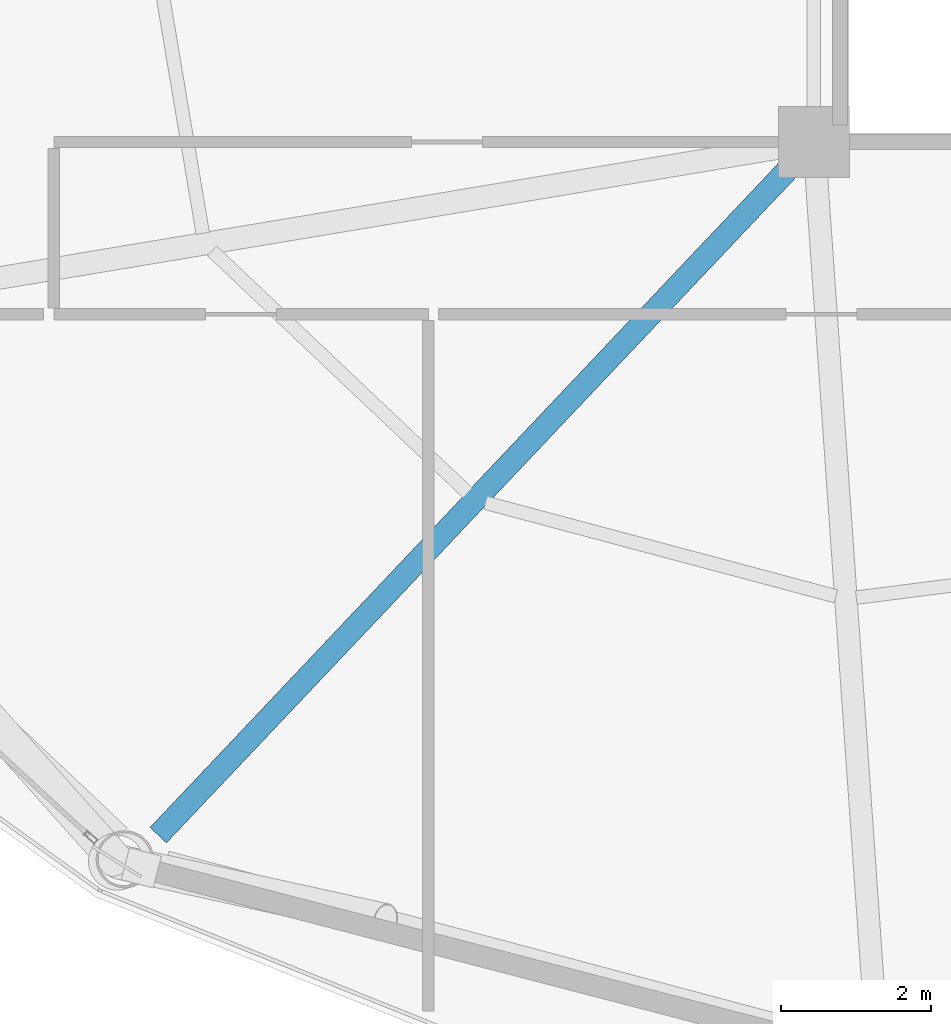
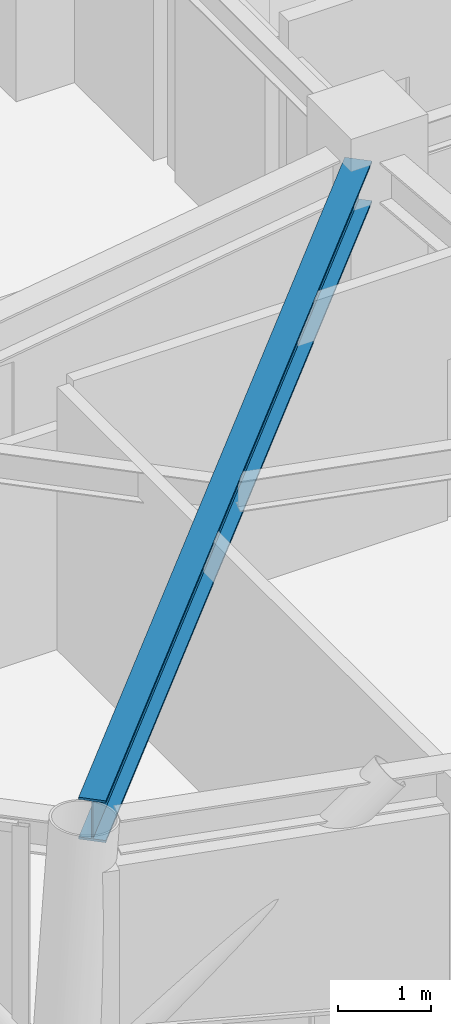
# One storey, part 4 of 26: 1 beam.
"""IFC4 building model written with IfcOpenShell, lengths in metres."""

from ifc_helpers import new_model, si_unit, direction, frame, origin, origin_2d, place, context, subcontext, project, spatial, i_section, extrude, material, material_profile, profile_set, type_object, element, save


model = new_model("IFC4")

# Units and contexts
model_context = context("Model", 3, precision=1e-05, world=origin(), true_north=direction((0.0, 1.0)))
body_context = subcontext(model_context, "Body", "Model", "MODEL_VIEW")
ifc_project = project(units=[si_unit("LENGTHUNIT", "METRE"), si_unit("AREAUNIT", "SQUARE_METRE"), si_unit("VOLUMEUNIT", "CUBIC_METRE"), si_unit("PLANEANGLEUNIT", "RADIAN"), si_unit("MASSUNIT", "GRAM", prefix="KILO")], contexts=[model_context])

# Site, building, storey
site_placement = place(None, origin())
site = spatial("IfcSite", under=ifc_project, at=site_placement, CompositionType="ELEMENT")
building_placement = place(site_placement, origin())
building = spatial("IfcBuilding", under=site, at=building_placement, Name="Varnakorn Sky Granary", CompositionType="ELEMENT")
storey_placement = place(building_placement, frame((0.0, 0.0, 169.5)))
storey = spatial("IfcBuildingStorey", under=building, at=storey_placement, Name="L42", CompositionType="ELEMENT", Elevation=169.5)

# Beam
ifc_material = material(Name="Steel S355JR", Category="steel")
ifc_material_profile = material_profile(ifc_material, i_section(OverallWidth=0.300048828125, OverallDepth=0.550048828125, WebThickness=0.014892578125, FlangeThickness=0.029052734375, at=origin_2d()), Name="HE 550 B")
ifc_profile_set = profile_set([ifc_material_profile], Name="Steel S355JR")
beam_type = type_object("IfcBeamType", Name="BM-RAD-Z3", PredefinedType="BEAM", material=ifc_profile_set)
beam_placement = place(storey_placement, frame((-2.638671875, -6.905029296875, 3.175048828125), z_axis=(-0.687237726788, -0.726432589356, 0.0), x_axis=(0.726432589356, -0.687237726788, 0.0)))
element("IfcBeam", 1, at=beam_placement, inside=storey, type_object=beam_type, Name="Radial Floor Girder RG09 L42", PredefinedType="BEAM", context=body_context, shape_type="SweptSolid", body=[
    extrude(i_section(OverallWidth=0.300048828125, OverallDepth=0.550048828125, WebThickness=0.014892578125, FlangeThickness=0.029052734375, at=origin_2d()), origin(), (0.0, 0.0, 1.0), 12.32080078125),
])

save(model, "model.ifc")
